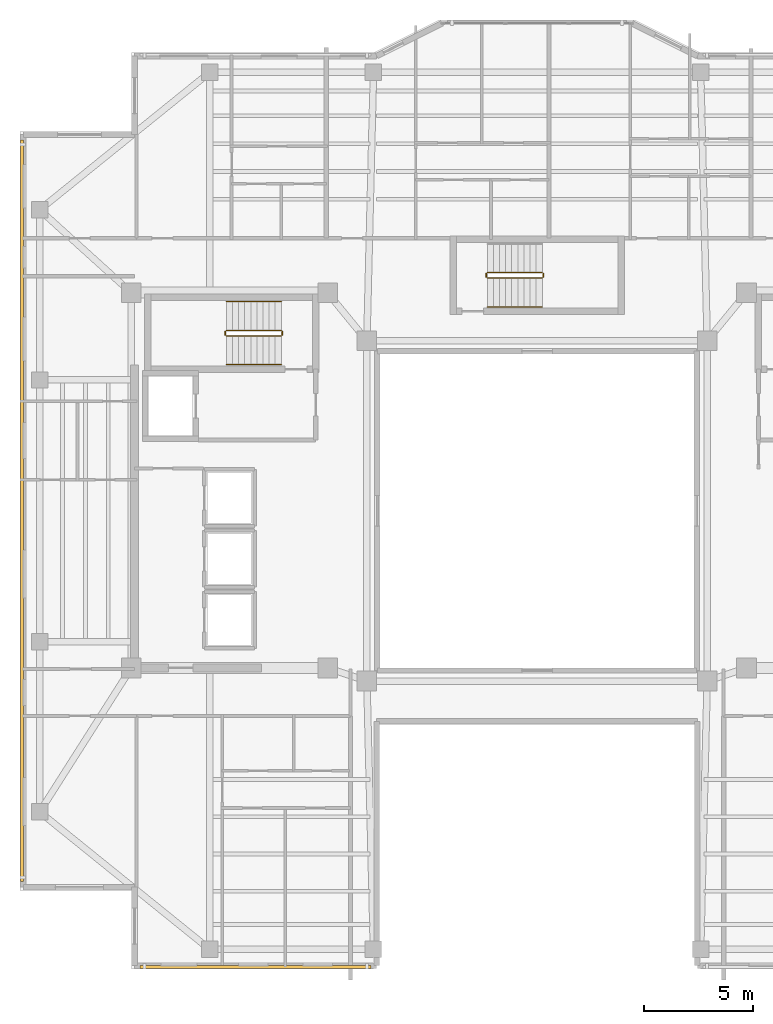
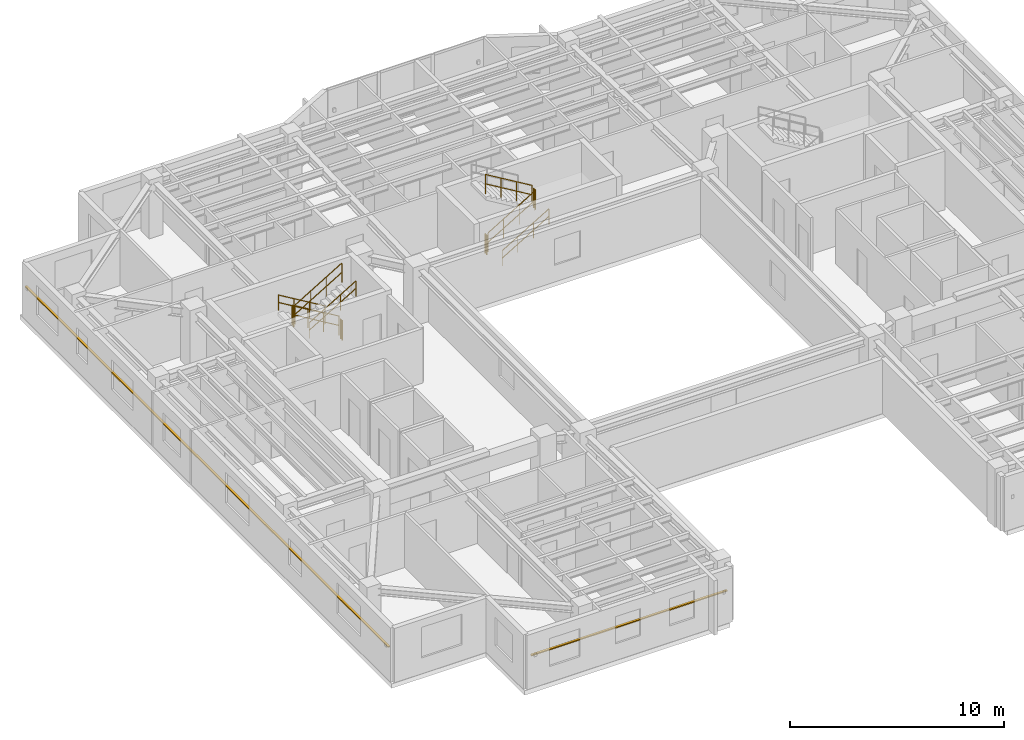
# One storey, part 10 of 12: 11 railings, 2 shading devices.
"""IFC4 building model written with IfcOpenShell, lengths in metres."""

from ifc_helpers import new_model, si_unit, direction, frame, origin, origin_2d, place, context, subcontext, project, spatial, rectangle, circle, extrude, material, material_profile, profile_set, type_object, element, save


model = new_model("IFC4")

# Units and contexts
model_context = context("Model", 3, precision=1e-05, world=origin(), true_north=direction((0.0, 1.0)))
body_context = subcontext(model_context, "Body", "Model", "MODEL_VIEW")
ifc_project = project(units=[si_unit("LENGTHUNIT", "METRE"), si_unit("AREAUNIT", "SQUARE_METRE"), si_unit("VOLUMEUNIT", "CUBIC_METRE"), si_unit("PLANEANGLEUNIT", "RADIAN"), si_unit("MASSUNIT", "GRAM", prefix="KILO")], contexts=[model_context])

# Site, building, storey
site_placement = place(None, origin())
site = spatial("IfcSite", under=ifc_project, at=site_placement, CompositionType="ELEMENT")
building_placement = place(site_placement, origin())
building = spatial("IfcBuilding", under=site, at=building_placement, Name="Tarnavaz Court Tower", CompositionType="ELEMENT")
storey_placement = place(building_placement, frame((0.0, 0.0, 203.64990234375)))
storey = spatial("IfcBuildingStorey", under=building, at=storey_placement, Name="L55", CompositionType="ELEMENT", Elevation=203.64990234375)

# Railings
ifc_material_1 = material(Name="Brushed Stainless Steel", Category="steel")
railing_type_1 = type_object("IfcRailingType", Name="RL-HANDRAIL-900", PredefinedType="HANDRAIL", material=ifc_material_1)
railing_1_placement = place(storey_placement, frame((-11.719970703125, 9.590087890625, 0.16748046875)))
element("IfcRailing", 1, at=railing_1_placement, inside=storey, type_object=railing_type_1, Name="L55 ST-W1 stair handrail 1", PredefinedType="HANDRAIL", context=body_context, shape_type="SweptSolid", body=[
    extrude(circle(Radius=0.02392578125, at=origin_2d()), frame((0.0, 0.0, 0.8759765625), z_axis=(-0.858159760407, 0.0, 0.513382728203), x_axis=(0.0, -1.0, 0.0)), (0.0, 0.0, 1.0), 2.9365234375),
    extrude(circle(Radius=0.02392578125, at=origin_2d()), frame((0.0, 0.0, 0.449951171875), z_axis=(-0.858159760407, 0.0, 0.513382728203), x_axis=(0.0, -1.0, 0.0)), (0.0, 0.0, 1.0), 2.9365234375),
    extrude(circle(Radius=0.02099609375, at=origin_2d()), origin(), (0.0, 0.0, 1.0), 0.851806640625),
    extrude(circle(Radius=0.02099609375, at=origin_2d()), frame((-0.840087890625, 0.0, 0.50244140625)), (0.0, 0.0, 1.0), 0.851806640625),
    extrude(circle(Radius=0.02099609375, at=origin_2d()), frame((-1.679931640625, 0.0, 1.005126953125)), (0.0, 0.0, 1.0), 0.851806640625),
    extrude(circle(Radius=0.02099609375, at=origin_2d()), frame((-2.52001953125, 0.0, 1.507568359375)), (0.0, 0.0, 1.0), 0.851806640625),
])
for number, where, name in (
    (2, (-14.239990234375, 6.699951171875, 1.842529296875), "L55 ST-W1 stair handrail 2"),
    (3, (-2.280029296875, 9.35009765625, 0.16748046875), "L55 ST-N1 stair handrail 1"),
):
    element("IfcRailing", number, at=place(storey_placement, frame(where)), inside=storey, type_object=railing_type_1, Name=name, PredefinedType="HANDRAIL", context=body_context, shape_type="SweptSolid", body=[
        extrude(circle(Radius=0.02392578125, at=origin_2d()), frame((0.0, 0.0, 0.8759765625), z_axis=(0.858159760407, 0.0, 0.513382728203), x_axis=(0.0, 1.0, 0.0)), (0.0, 0.0, 1.0), 2.9365234375),
        extrude(circle(Radius=0.02392578125, at=origin_2d()), frame((0.0, 0.0, 0.449951171875), z_axis=(0.858159760407, 0.0, 0.513382728203), x_axis=(0.0, 1.0, 0.0)), (0.0, 0.0, 1.0), 2.9365234375),
        extrude(circle(Radius=0.02099609375, at=origin_2d()), origin(), (0.0, 0.0, 1.0), 0.851806640625),
        extrude(circle(Radius=0.02099609375, at=origin_2d()), frame((0.840087890625, 0.0, 0.50244140625)), (0.0, 0.0, 1.0), 0.851806640625),
        extrude(circle(Radius=0.02099609375, at=origin_2d()), frame((1.679931640625, 0.0, 1.005126953125)), (0.0, 0.0, 1.0), 0.851806640625),
        extrude(circle(Radius=0.02099609375, at=origin_2d()), frame((2.52001953125, 0.0, 1.507568359375)), (0.0, 0.0, 1.0), 0.851806640625),
    ])
ifc_material_2 = material(Name="Galvanized Painted Tubular Steel", Category="steel")
railing_type_2 = type_object("IfcRailingType", Name="RL-STGUARD-1120", PredefinedType="GUARDRAIL", material=ifc_material_2)
railing_2_placement = place(storey_placement, frame((-11.719970703125, 8.27001953125, 0.16748046875)))
element("IfcRailing", 4, at=railing_2_placement, inside=storey, type_object=railing_type_2, Name="L55 ST-W1 stair guard 1", PredefinedType="GUARDRAIL", context=body_context, shape_type="SweptSolid", body=[
    extrude(circle(Radius=0.02392578125, at=origin_2d()), frame((0.0, 0.0, 1.09619140625), z_axis=(-0.858159760407, 0.0, 0.513382728203), x_axis=(0.0, -1.0, 0.0)), (0.0, 0.0, 1.0), 2.9365234375),
    extrude(circle(Radius=0.02392578125, at=origin_2d()), frame((0.0, 0.0, 0.56005859375), z_axis=(-0.858159760407, 0.0, 0.513382728203), x_axis=(0.0, -1.0, 0.0)), (0.0, 0.0, 1.0), 2.9365234375),
    extrude(circle(Radius=0.02099609375, at=origin_2d()), origin(), (0.0, 0.0, 1.0), 1.072021484375),
    extrude(circle(Radius=0.02099609375, at=origin_2d()), frame((-0.840087890625, 0.0, 0.50244140625)), (0.0, 0.0, 1.0), 1.072021484375),
    extrude(circle(Radius=0.02099609375, at=origin_2d()), frame((-1.679931640625, 0.0, 1.005126953125)), (0.0, 0.0, 1.0), 1.072021484375),
    extrude(circle(Radius=0.02099609375, at=origin_2d()), frame((-2.52001953125, 0.0, 1.507568359375)), (0.0, 0.0, 1.0), 1.072021484375),
])
railing_3_placement = place(storey_placement, frame((-14.2900390625, 8.219970703125, 1.675048828125)))
element("IfcRailing", 5, at=railing_3_placement, inside=storey, type_object=railing_type_2, Name="L55 ST-W1 stair guard 2", PredefinedType="GUARDRAIL", context=body_context, shape_type="SweptSolid", body=[
    extrude(circle(Radius=0.02392578125, at=origin_2d()), frame((0.0, 0.0, 1.09619140625), z_axis=(0.0, -1.0, 0.0), x_axis=(1.0, 0.0, 0.0)), (0.0, 0.0, 1.0), 0.14990234375),
    extrude(circle(Radius=0.02392578125, at=origin_2d()), frame((0.0, 0.0, 0.56005859375), z_axis=(0.0, -1.0, 0.0), x_axis=(1.0, 0.0, 0.0)), (0.0, 0.0, 1.0), 0.14990234375),
    extrude(circle(Radius=0.02099609375, at=origin_2d()), origin(), (0.0, 0.0, 1.0), 1.072021484375),
    extrude(circle(Radius=0.02099609375, at=origin_2d()), frame((0.0, -0.14990234375, 0.0)), (0.0, 0.0, 1.0), 1.072021484375),
])
railing_4_placement = place(storey_placement, frame((-14.239990234375, 8.02001953125, 1.842529296875)))
element("IfcRailing", 6, at=railing_4_placement, inside=storey, type_object=railing_type_2, Name="L55 ST-W1 stair guard 3", PredefinedType="GUARDRAIL", context=body_context, shape_type="SweptSolid", body=[
    extrude(circle(Radius=0.02392578125, at=origin_2d()), frame((0.0, 0.0, 1.09619140625), z_axis=(0.858159760407, 0.0, 0.513382728203), x_axis=(0.0, 1.0, 0.0)), (0.0, 0.0, 1.0), 2.9365234375),
    extrude(circle(Radius=0.02392578125, at=origin_2d()), frame((0.0, 0.0, 0.56005859375), z_axis=(0.858159760407, 0.0, 0.513382728203), x_axis=(0.0, 1.0, 0.0)), (0.0, 0.0, 1.0), 2.9365234375),
    extrude(circle(Radius=0.02099609375, at=origin_2d()), origin(), (0.0, 0.0, 1.0), 1.072021484375),
    extrude(circle(Radius=0.02099609375, at=origin_2d()), frame((0.840087890625, 0.0, 0.50244140625)), (0.0, 0.0, 1.0), 1.072021484375),
    extrude(circle(Radius=0.02099609375, at=origin_2d()), frame((1.679931640625, 0.0, 1.005126953125)), (0.0, 0.0, 1.0), 1.072021484375),
    extrude(circle(Radius=0.02099609375, at=origin_2d()), frame((2.52001953125, 0.0, 1.507568359375)), (0.0, 0.0, 1.0), 1.072021484375),
])
railing_5_placement = place(storey_placement, frame((-11.669921875, 8.219970703125, 0.0)))
element("IfcRailing", 7, at=railing_5_placement, inside=storey, type_object=railing_type_2, Name="L55 ST-W1 stair guard 4", PredefinedType="GUARDRAIL", context=body_context, shape_type="SweptSolid", body=[
    extrude(circle(Radius=0.02392578125, at=origin_2d()), frame((0.0, 0.0, 1.09619140625), z_axis=(0.0, -1.0, 0.0), x_axis=(1.0, 0.0, 0.0)), (0.0, 0.0, 1.0), 0.14990234375),
    extrude(circle(Radius=0.02392578125, at=origin_2d()), frame((0.0, 0.0, 0.56005859375), z_axis=(0.0, -1.0, 0.0), x_axis=(1.0, 0.0, 0.0)), (0.0, 0.0, 1.0), 0.14990234375),
    extrude(circle(Radius=0.02099609375, at=origin_2d()), origin(), (0.0, 0.0, 1.0), 1.072021484375),
    extrude(circle(Radius=0.02099609375, at=origin_2d()), frame((0.0, -0.14990234375, 0.0)), (0.0, 0.0, 1.0), 1.072021484375),
])
railing_6_placement = place(storey_placement, frame((-2.280029296875, 10.669921875, 0.16748046875)))
element("IfcRailing", 8, at=railing_6_placement, inside=storey, type_object=railing_type_2, Name="L55 ST-N1 stair guard 1", PredefinedType="GUARDRAIL", context=body_context, shape_type="SweptSolid", body=[
    extrude(circle(Radius=0.02392578125, at=origin_2d()), frame((0.0, 0.0, 1.09619140625), z_axis=(0.858159760407, 0.0, 0.513382728203), x_axis=(0.0, 1.0, 0.0)), (0.0, 0.0, 1.0), 2.9365234375),
    extrude(circle(Radius=0.02392578125, at=origin_2d()), frame((0.0, 0.0, 0.56005859375), z_axis=(0.858159760407, 0.0, 0.513382728203), x_axis=(0.0, 1.0, 0.0)), (0.0, 0.0, 1.0), 2.9365234375),
    extrude(circle(Radius=0.02099609375, at=origin_2d()), origin(), (0.0, 0.0, 1.0), 1.072021484375),
    extrude(circle(Radius=0.02099609375, at=origin_2d()), frame((0.840087890625, 0.0, 0.50244140625)), (0.0, 0.0, 1.0), 1.072021484375),
    extrude(circle(Radius=0.02099609375, at=origin_2d()), frame((1.679931640625, 0.0, 1.005126953125)), (0.0, 0.0, 1.0), 1.072021484375),
    extrude(circle(Radius=0.02099609375, at=origin_2d()), frame((2.52001953125, 0.0, 1.507568359375)), (0.0, 0.0, 1.0), 1.072021484375),
])
railing_7_placement = place(storey_placement, frame((0.2900390625, 10.719970703125, 1.675048828125)))
element("IfcRailing", 9, at=railing_7_placement, inside=storey, type_object=railing_type_2, Name="L55 ST-N1 stair guard 2", PredefinedType="GUARDRAIL", context=body_context, shape_type="SweptSolid", body=[
    extrude(circle(Radius=0.02392578125, at=origin_2d()), frame((0.0, 0.0, 1.09619140625), z_axis=(0.0, 1.0, 0.0), x_axis=(-1.0, 0.0, 0.0)), (0.0, 0.0, 1.0), 0.150146484375),
    extrude(circle(Radius=0.02392578125, at=origin_2d()), frame((0.0, 0.0, 0.56005859375), z_axis=(0.0, 1.0, 0.0), x_axis=(-1.0, 0.0, 0.0)), (0.0, 0.0, 1.0), 0.150146484375),
    extrude(circle(Radius=0.02099609375, at=origin_2d()), origin(), (0.0, 0.0, 1.0), 1.072021484375),
    extrude(circle(Radius=0.02099609375, at=origin_2d()), frame((0.0, 0.150146484375, 0.0)), (0.0, 0.0, 1.0), 1.072021484375),
])
railing_8_placement = place(storey_placement, frame((0.239990234375, 10.919921875, 1.842529296875)))
element("IfcRailing", 10, at=railing_8_placement, inside=storey, type_object=railing_type_2, Name="L55 ST-N1 stair guard 3", PredefinedType="GUARDRAIL", context=body_context, shape_type="SweptSolid", body=[
    extrude(circle(Radius=0.02392578125, at=origin_2d()), frame((0.0, 0.0, 1.09619140625), z_axis=(-0.858159760407, 0.0, 0.513382728203), x_axis=(0.0, -1.0, 0.0)), (0.0, 0.0, 1.0), 2.9365234375),
    extrude(circle(Radius=0.02392578125, at=origin_2d()), frame((0.0, 0.0, 0.56005859375), z_axis=(-0.858159760407, 0.0, 0.513382728203), x_axis=(0.0, -1.0, 0.0)), (0.0, 0.0, 1.0), 2.9365234375),
    extrude(circle(Radius=0.02099609375, at=origin_2d()), origin(), (0.0, 0.0, 1.0), 1.072021484375),
    extrude(circle(Radius=0.02099609375, at=origin_2d()), frame((-0.840087890625, 0.0, 0.50244140625)), (0.0, 0.0, 1.0), 1.072021484375),
    extrude(circle(Radius=0.02099609375, at=origin_2d()), frame((-1.679931640625, 0.0, 1.005126953125)), (0.0, 0.0, 1.0), 1.072021484375),
    extrude(circle(Radius=0.02099609375, at=origin_2d()), frame((-2.52001953125, 0.0, 1.507568359375)), (0.0, 0.0, 1.0), 1.072021484375),
])
railing_9_placement = place(storey_placement, frame((-2.330078125, 10.719970703125, 0.0)))
element("IfcRailing", 11, at=railing_9_placement, inside=storey, type_object=railing_type_2, Name="L55 ST-N1 stair guard 4", PredefinedType="GUARDRAIL", context=body_context, shape_type="SweptSolid", body=[
    extrude(circle(Radius=0.02392578125, at=origin_2d()), frame((0.0, 0.0, 1.09619140625), z_axis=(0.0, 1.0, 0.0), x_axis=(-1.0, 0.0, 0.0)), (0.0, 0.0, 1.0), 0.150146484375),
    extrude(circle(Radius=0.02392578125, at=origin_2d()), frame((0.0, 0.0, 0.56005859375), z_axis=(0.0, 1.0, 0.0), x_axis=(-1.0, 0.0, 0.0)), (0.0, 0.0, 1.0), 0.150146484375),
    extrude(circle(Radius=0.02099609375, at=origin_2d()), origin(), (0.0, 0.0, 1.0), 1.072021484375),
    extrude(circle(Radius=0.02099609375, at=origin_2d()), frame((0.0, 0.150146484375, 0.0)), (0.0, 0.0, 1.0), 1.072021484375),
])

# Shading devices
ifc_material_3 = material(Name="Kiln-Fired Khorasan Terracotta Ceramic", Category="masonry")
ifc_material_profile = material_profile(ifc_material_3, rectangle(XDim=0.1201171875, YDim=0.06005859375, at=origin_2d()), Name="TC BAGUETTE 120X60")
ifc_profile_set = profile_set([ifc_material_profile], Name="Kiln-Fired Khorasan Terracotta Ceramic")
shading_device_type = type_object("IfcShadingDeviceType", Name="SD-BAG-120", PredefinedType="USERDEFINED", material=ifc_profile_set)
shading_device_1_placement = place(storey_placement, frame((-23.610107421875, -17.0, 1.85009765625), z_axis=(0.0, 1.0, 0.0), x_axis=(-1.0, 0.0, 0.0)))
element("IfcShadingDevice", 12, at=shading_device_1_placement, inside=storey, type_object=shading_device_type, Name="L55 Terracotta Baguette Screen FBG02", ObjectType="BAGUETTE", PredefinedType="USERDEFINED", context=body_context, shape_type="SweptSolid", body=[
    extrude(rectangle(XDim=0.1201171875, YDim=0.06005859375, at=origin_2d()), origin(), (0.0, 0.0, 1.0), 34.0),
])
shading_device_2_placement = place(storey_placement, frame((-7.60009765625, -20.909912109375, 1.85009765625), z_axis=(-1.0, 0.0, 0.0), x_axis=(0.0, -1.0, 0.0)))
element("IfcShadingDevice", 13, at=shading_device_2_placement, inside=storey, type_object=shading_device_type, Name="L55 Terracotta Baguette Screen FBG19", ObjectType="BAGUETTE", PredefinedType="USERDEFINED", context=body_context, shape_type="SweptSolid", body=[
    extrude(rectangle(XDim=0.1201171875, YDim=0.06005859375, at=origin_2d()), origin(), (0.0, 0.0, 1.0), 10.599853515625),
])

save(model, "model.ifc")
